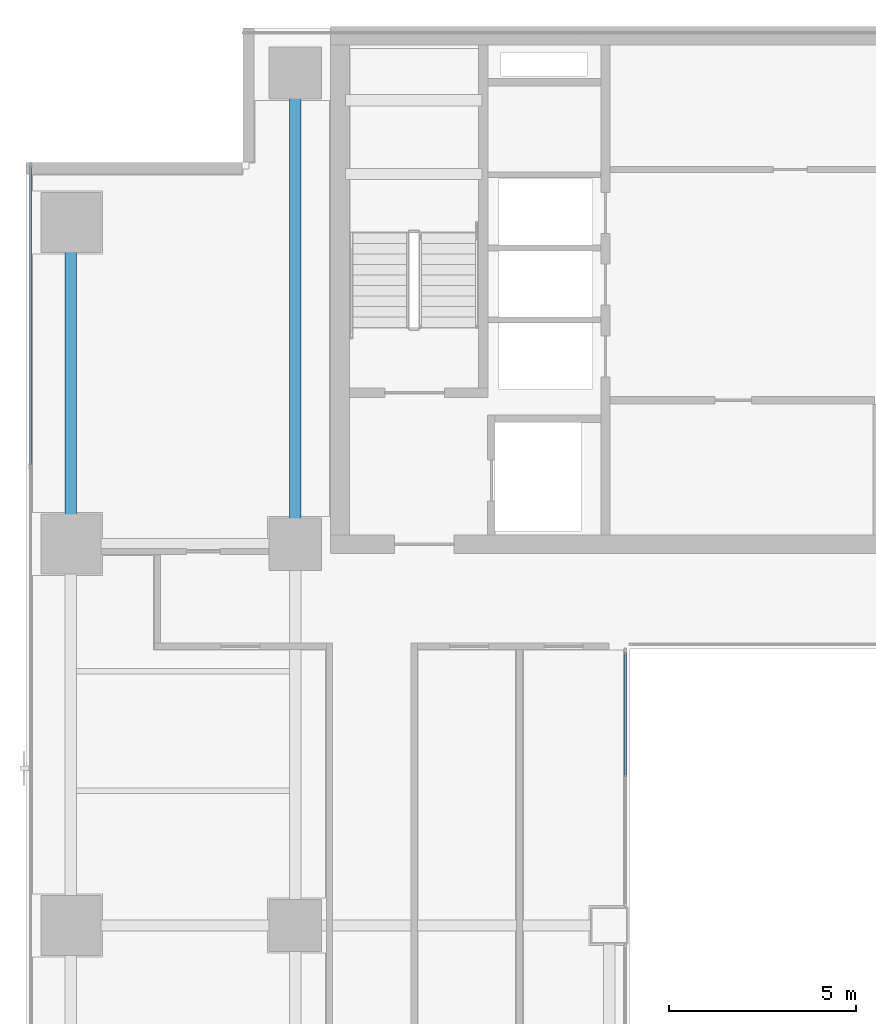
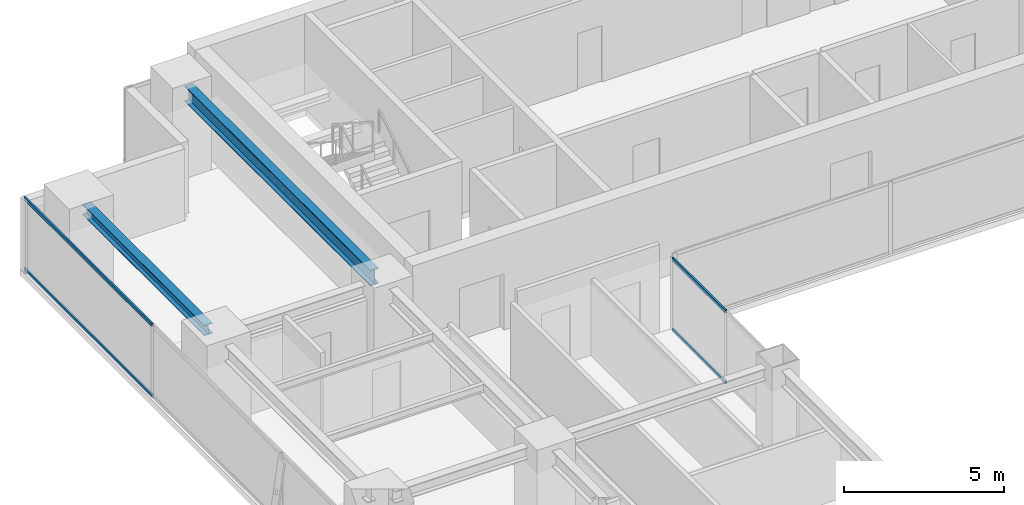
# One storey, part 9 of 29: 4 members, 2 beams, 2 elements without a shape of their own.
"""IFC4 building model written with IfcOpenShell, lengths in metres."""

import ifcopenshell
import ifcopenshell.guid

model = None  # the IFC model being written
_history = None  # IfcOwnerHistory: only IFC2X3 demands one
_inside = {}  # id of a spatial element -> (the spatial element, [elements in it])
_under = {}  # id of a project, library or spatial element -> (it, [spatial elements below it])
_declared = {}  # id of a project -> (the project, [libraries it declares])
_typed = {}  # id of a type object -> (the type object, [elements of that type])
_made_of = {}  # id of a material, layer set ... -> (it, [elements and type objects made of it])


def new_model(schema):
    """Start an empty IFC model of exactly this schema.

    Asked for "IFC4X3", IfcOpenShell would pick the latest addendum, in which some entities
    have other attributes; the version numbers below select the first issue.
    IFC2X3 requires an IfcOwnerHistory on every rooted entity: one is made here for all.
    """
    global model, _history
    if schema == "IFC4X3":
        model = ifcopenshell.file(schema_version=(4, 3, 0, 0))
    else:
        model = ifcopenshell.file(schema=schema)
    _inside.clear()
    _under.clear()
    _declared.clear()
    _typed.clear()
    _made_of.clear()
    _history = None
    if model.schema == "IFC2X3":
        org = make("IfcOrganization", Name="unknown")
        user = make(
            "IfcPersonAndOrganization",
            ThePerson=make("IfcPerson", FamilyName="unknown"),
            TheOrganization=org,
        )
        app = make(
            "IfcApplication",
            ApplicationDeveloper=org,
            Version="unknown",
            ApplicationFullName="unknown",
            ApplicationIdentifier="unknown",
        )
        _history = make(
            "IfcOwnerHistory",
            OwningUser=user,
            OwningApplication=app,
            ChangeAction="ADDED",
            CreationDate=0,
        )
    return model


def make(cls, **values):
    """One entity of the class cls with the attributes given. An attribute that is None is left unset."""
    return model.create_entity(
        cls, **{name: value for name, value in values.items() if value is not None}
    )


def rooted(cls, **values):
    """An entity with a GlobalId (a new one), such as an element, a storey or a relation."""
    return make(cls, GlobalId=ifcopenshell.guid.new(), OwnerHistory=_history, **values)


def si_unit(unit_type, name, prefix=None):
    """IfcSIUnit, for example si_unit("LENGTHUNIT", "METRE", prefix="MILLI")."""
    return make("IfcSIUnit", UnitType=unit_type, Prefix=prefix, Name=name)


def assignment(units):
    """IfcUnitAssignment: the units of a project."""
    return None if units is None else make("IfcUnitAssignment", Units=units)


def point(xyz):
    """IfcCartesianPoint."""
    return None if xyz is None else make("IfcCartesianPoint", Coordinates=xyz)


def direction(xyz):
    """IfcDirection."""
    return None if xyz is None else make("IfcDirection", DirectionRatios=xyz)


def frame(location, z_axis=None, x_axis=None):
    """IfcAxis2Placement3D, a coordinate frame: its origin and axes. An axis left out is left unset."""
    return make(
        "IfcAxis2Placement3D",
        Location=point(location),
        Axis=direction(z_axis),
        RefDirection=direction(x_axis),
    )


def frame_2d(location, x_axis=None):
    """IfcAxis2Placement2D, a coordinate frame in the plane: its origin and x axis."""
    return make(
        "IfcAxis2Placement2D", Location=point(location), RefDirection=direction(x_axis)
    )


def origin():
    """The frame at (0, 0, 0) with its axes left unset."""
    return frame((0.0, 0.0, 0.0))


def origin_2d():
    """The frame at (0, 0) in the plane with its x axis left unset."""
    return frame_2d((0.0, 0.0))


def place(relative_to, where):
    """IfcLocalPlacement: puts the frame where relative to a parent placement (None: the world)."""
    return make(
        "IfcLocalPlacement", PlacementRelTo=relative_to, RelativePlacement=where
    )


def context(
    kind, dimensions, precision=None, world=None, true_north=None, identifier=None
):
    """IfcGeometricRepresentationContext, for example the 3D "Model" context."""
    return make(
        "IfcGeometricRepresentationContext",
        ContextIdentifier=identifier,
        ContextType=kind,
        CoordinateSpaceDimension=dimensions,
        Precision=precision,
        WorldCoordinateSystem=world,
        TrueNorth=true_north,
    )


def subcontext(parent, identifier, kind, view, scale=None):
    """IfcGeometricRepresentationSubContext, for example "Body" below "Model"."""
    return make(
        "IfcGeometricRepresentationSubContext",
        ContextIdentifier=identifier,
        ContextType=kind,
        ParentContext=parent,
        TargetScale=scale,
        TargetView=view,
    )


def project(units=None, contexts=None):
    """IfcProject with its units and contexts."""
    return rooted(
        "IfcProject",
        Name="project",
        RepresentationContexts=contexts,
        UnitsInContext=assignment(units),
    )


def spatial(cls, under=None, at=None, **own):
    """A site, building, storey or space (cls), placed at a placement, below another one or the project."""
    s = rooted(cls, ObjectPlacement=at, **own)
    if under is not None:
        _under.setdefault(under.id(), (under, []))[1].append(s)
    return s


def profile(cls, at=None, kind="AREA", **sizes):
    """A parametric profile (cls). Its sizes go by their IFC names, for example OverallWidth=200.0."""
    return make(cls, ProfileType=kind, Position=at, **sizes)


def hollow_rectangle(**sizes):
    """IfcRectangleHollowProfileDef."""
    return profile("IfcRectangleHollowProfileDef", **sizes)


def i_section(**sizes):
    """IfcIShapeProfileDef."""
    return profile("IfcIShapeProfileDef", **sizes)


def extrude(swept, where, along, depth):
    """IfcExtrudedAreaSolid: the profile swept, set in the frame where, extruded along a direction by depth."""
    return make(
        "IfcExtrudedAreaSolid",
        SweptArea=swept,
        Position=where,
        ExtrudedDirection=direction(along),
        Depth=depth,
    )


def shape(context_of_items, identifier, shape_type, items):
    """IfcShapeRepresentation: the items that make up one representation, for example the "Body"."""
    return make(
        "IfcShapeRepresentation",
        ContextOfItems=context_of_items,
        RepresentationIdentifier=identifier,
        RepresentationType=shape_type,
        Items=items,
    )


def source(mapping_origin, context_of_items, identifier, shape_type, items):
    """IfcRepresentationMap: a shape defined once, which mapped items show again and again."""
    return make(
        "IfcRepresentationMap",
        MappingOrigin=mapping_origin,
        MappedRepresentation=shape(context_of_items, identifier, shape_type, items),
    )


def transform(
    local_origin,
    x_axis=None,
    y_axis=None,
    z_axis=None,
    scale=None,
    scale2=None,
    scale3=None,
    uniform=True,
):
    """IfcCartesianTransformationOperator3D, or its non-uniform kind. x_axis, y_axis, z_axis: its Axis1, 2, 3."""
    if uniform:
        return make(
            "IfcCartesianTransformationOperator3D",
            Axis1=direction(x_axis),
            Axis2=direction(y_axis),
            LocalOrigin=point(local_origin),
            Scale=scale,
            Axis3=direction(z_axis),
        )
    return make(
        "IfcCartesianTransformationOperator3DnonUniform",
        Axis1=direction(x_axis),
        Axis2=direction(y_axis),
        LocalOrigin=point(local_origin),
        Scale=scale,
        Axis3=direction(z_axis),
        Scale2=scale2,
        Scale3=scale3,
    )


def mapped(mapping_source, mapping_target):
    """IfcMappedItem: shows the shape of a source again, moved by a transform."""
    return make(
        "IfcMappedItem", MappingSource=mapping_source, MappingTarget=mapping_target
    )


def material(Name=None, Category=None):
    """IfcMaterial."""
    return make("IfcMaterial", Name=Name, Category=Category)


def layer(
    of_material, thickness, ventilated=None, Name=None, Category=None, Priority=None
):
    """IfcMaterialLayer: one layer of a wall or slab, of a material (None: an air gap)."""
    return make(
        "IfcMaterialLayer",
        Material=of_material,
        LayerThickness=thickness,
        IsVentilated=ventilated,
        Name=Name,
        Category=Category,
        Priority=Priority,
    )


def layer_set(layers, Name=None):
    """IfcMaterialLayerSet."""
    return make("IfcMaterialLayerSet", MaterialLayers=layers, LayerSetName=Name)


def material_profile(
    of_material, cross_section, Name=None, Category=None, Priority=None
):
    """IfcMaterialProfile: a cross section and its material."""
    return make(
        "IfcMaterialProfile",
        Name=Name,
        Material=of_material,
        Profile=cross_section,
        Priority=Priority,
        Category=Category,
    )


def profile_set(profiles, Name=None, composite=None):
    """IfcMaterialProfileSet."""
    return make(
        "IfcMaterialProfileSet",
        Name=Name,
        MaterialProfiles=profiles,
        CompositeProfile=composite,
    )


def made_of(thing, what):
    """Note that an element or type object is made of a material, layer set ...; save() writes the relation."""
    if what is not None:
        _made_of.setdefault(what.id(), (what, []))[1].append(thing)
    return thing


def type_object(cls, material=None, **own):
    """A type object (cls), such as IfcWallType, which elements share."""
    return made_of(rooted(cls, **own), material)


def element(
    cls,
    number,
    at=None,
    inside=None,
    cuts=None,
    type_object=None,
    material=None,
    context=None,
    identifier="Body",
    shape_type=None,
    held_by="IfcProductDefinitionShape",
    body=None,
    shapes=None,
    **own,
):
    """One element of the class cls, such as IfcWall. Its Tag is "e" and its number.

    at: its placement. inside: the storey or other place that contains it. cuts: it is an
    opening in that element (IfcRelVoidsElement). A single representation is given by context,
    identifier, shape_type and body (its items); several are given by shapes. held_by: the class
    of the entity that holds the representations. save() writes the other relations.
    """
    e = rooted(cls, Tag="e%d" % number, ObjectPlacement=at, **own)
    if body is not None:
        shapes = [shape(context, identifier, shape_type, body)]
    if shapes is not None:
        e.Representation = make(held_by, Representations=shapes)
    if inside is not None:
        _inside.setdefault(inside.id(), (inside, []))[1].append(e)
    if cuts is not None:
        rooted(
            "IfcRelVoidsElement", RelatingBuildingElement=cuts, RelatedOpeningElement=e
        )
    if type_object is not None:
        _typed.setdefault(type_object.id(), (type_object, []))[1].append(e)
    return made_of(e, material)


def aggregate(whole, parts):
    """IfcRelAggregates: a whole, such as a stair, and the parts it consists of."""
    return rooted("IfcRelAggregates", RelatingObject=whole, RelatedObjects=parts)


def save(model, path):
    """Write the relations noted so far, then the file.

    IfcRelAggregates (storeys below a building ...), IfcRelContainedInSpatialStructure (elements
    in a storey), IfcRelDefinesByType, IfcRelAssociatesMaterial and IfcRelDeclares: one each for
    every whole, place, type object, material and project.
    """
    for whole, parts in _under.values():
        aggregate(whole, parts)
    for where, things in _inside.values():
        rooted(
            "IfcRelContainedInSpatialStructure",
            RelatedElements=things,
            RelatingStructure=where,
        )
    for kind, things in _typed.values():
        rooted("IfcRelDefinesByType", RelatedObjects=things, RelatingType=kind)
    for what, things in _made_of.values():
        rooted("IfcRelAssociatesMaterial", RelatedObjects=things, RelatingMaterial=what)
    for by, libraries in _declared.values():
        rooted("IfcRelDeclares", RelatingContext=by, RelatedDefinitions=libraries)
    model.write(path)


model = new_model("IFC4")

# Units and contexts
model_context = context("Model", 3, precision=1e-05, world=origin(), true_north=direction((0.0, 1.0)))
body_context = subcontext(model_context, "Body", "Model", "MODEL_VIEW")
ifc_project = project(units=[si_unit("LENGTHUNIT", "METRE"), si_unit("AREAUNIT", "SQUARE_METRE"), si_unit("VOLUMEUNIT", "CUBIC_METRE"), si_unit("PLANEANGLEUNIT", "RADIAN"), si_unit("MASSUNIT", "GRAM", prefix="KILO")], contexts=[model_context])

# Site, building, storey
site_placement = place(None, origin())
site = spatial("IfcSite", under=ifc_project, at=site_placement, CompositionType="ELEMENT")
building_placement = place(site_placement, origin())
building = spatial("IfcBuilding", under=site, at=building_placement, Name="Sumidabori Civic Tower", CompositionType="ELEMENT")
storey_placement = place(building_placement, frame((0.0, 0.0, 218.0)))
storey = spatial("IfcBuildingStorey", under=building, at=storey_placement, Name="L56", CompositionType="ELEMENT", Elevation=218.0)

# Beams
ifc_material_1 = material(Name="Steel SN490", Category="steel")
ifc_material_profile_1 = material_profile(ifc_material_1, i_section(OverallWidth=0.300048828125, OverallDepth=0.39990234375, WebThickness=0.013427734375, FlangeThickness=0.02392578125, at=origin_2d()), Name="HE 400 B")
ifc_profile_set_1 = profile_set([ifc_material_profile_1], Name="Steel SN490")
beam_type_1 = type_object("IfcBeamType", Name="BM-GIRD-400", PredefinedType="BEAM", material=ifc_profile_set_1)
shared_shape_1 = source(origin(), body_context, "Body", "SweptSolid", [
    extrude(i_section(OverallWidth=0.300048828125, OverallDepth=0.39990234375, WebThickness=0.013427734375, FlangeThickness=0.02392578125, at=origin_2d()), origin(), (0.0, 0.0, 1.0), 7.64013671875),
])
beam_1_placement = place(storey_placement, frame((-22.800048828125, 10.679931640625, 3.179931640625), z_axis=(0.0, 1.0, 0.0), x_axis=(-1.0, 0.0, 0.0)))
element("IfcBeam", 1, at=beam_1_placement, inside=storey, type_object=beam_type_1, Name="Primary Girder L56 GY-13", PredefinedType="BEAM", context=body_context, shape_type="MappedRepresentation", body=[
    mapped(shared_shape_1, transform((0.0, 0.0, 0.0), x_axis=(1.0, 0.0, 0.0), y_axis=(0.0, 1.0, 0.0), z_axis=(0.0, 0.0, 1.0), scale=1.0)),
])
ifc_material_profile_2 = material_profile(ifc_material_1, i_section(OverallWidth=0.300048828125, OverallDepth=0.60009765625, WebThickness=0.015380859375, FlangeThickness=0.030029296875, at=origin_2d()), Name="HE 600 B")
ifc_profile_set_2 = profile_set([ifc_material_profile_2], Name="Steel SN490")
beam_type_2 = type_object("IfcBeamType", Name="BM-GIRD-600", PredefinedType="BEAM", material=ifc_profile_set_2)
shared_shape_2 = source(origin(), body_context, "Body", "SweptSolid", [
    extrude(i_section(OverallWidth=0.300048828125, OverallDepth=0.60009765625, WebThickness=0.015380859375, FlangeThickness=0.030029296875, at=origin_2d()), origin(), (0.0, 0.0, 1.0), 11.64013671875),
])
beam_2_placement = place(storey_placement, frame((-16.800048828125, 10.679931640625, 3.080078125), z_axis=(0.0, 1.0, 0.0), x_axis=(-1.0, 0.0, 0.0)))
element("IfcBeam", 2, at=beam_2_placement, inside=storey, type_object=beam_type_2, Name="Primary Girder L56 GY-16", PredefinedType="BEAM", context=body_context, shape_type="MappedRepresentation", body=[
    mapped(shared_shape_2, transform((0.0, 0.0, 0.0), x_axis=(1.0, 0.0, 0.0), y_axis=(0.0, 1.0, 0.0), z_axis=(0.0, 0.0, 1.0), scale=1.0)),
])

# Curtain wall, members
ifc_material_2 = material(Name="Anodised Bronze Aluminium AW-6063-T6", Category="aluminium")
ifc_layer_1 = layer(ifc_material_2, 0.179931640625, Name="Anodised Bronze Aluminium AW-6063-T6")
ifc_layer_set_1 = layer_set([ifc_layer_1], Name="Anodised Bronze Aluminium AW-6063-T6")
curtain_wall_type_1 = type_object("IfcCurtainWallType", Name="CW-SYS-4", PredefinedType="NOTDEFINED", material=ifc_layer_set_1)
curtain_wall_1_placement = place(storey_placement, origin())
curtain_wall_1 = element("IfcCurtainWall", 3, at=curtain_wall_1_placement, inside=storey, type_object=curtain_wall_type_1, Name="Curtain Wall CW:L56:R04", PredefinedType="NOTDEFINED")
ifc_material_profile_3 = material_profile(ifc_material_2, hollow_rectangle(XDim=0.06005859375, YDim=0.1298828125, WallThickness=0.0048828125, at=origin_2d()), Name="ALU TRANSOM 130x60")
ifc_profile_set_3 = profile_set([ifc_material_profile_3], Name="Anodised Bronze Aluminium AW-6063-T6")
member_type = type_object("IfcMemberType", Name="CW-TRN-130", PredefinedType="USERDEFINED", material=ifc_profile_set_3)
shared_shape_3 = source(origin(), body_context, "Body", "SweptSolid", [
    extrude(hollow_rectangle(XDim=0.06005859375, YDim=0.1298828125, WallThickness=0.0048828125, at=origin_2d()), origin(), (0.0, 0.0, 1.0), 3.330078125),
])
member_1_placement = place(storey_placement, frame((-7.969970703125, 3.97998046875, 0.030029296875), z_axis=(0.0, 1.0, 0.0), x_axis=(-1.0, 0.0, 0.0)))
member_1 = element("IfcMember", 4, at=member_1_placement, type_object=member_type, Name="CW-4 transom 2.1", ObjectType="TRANSOM", PredefinedType="USERDEFINED", context=body_context, shape_type="MappedRepresentation", body=[
    mapped(shared_shape_3, transform((0.0, 0.0, 0.0), x_axis=(1.0, 0.0, 0.0), y_axis=(0.0, 1.0, 0.0), z_axis=(0.0, 0.0, 1.0), scale=1.0)),
])
member_2_placement = place(storey_placement, frame((-7.969970703125, 3.97998046875, 2.72998046875), z_axis=(0.0, 1.0, 0.0), x_axis=(-1.0, 0.0, 0.0)))
member_2 = element("IfcMember", 5, at=member_2_placement, type_object=member_type, Name="CW-4 transom 2.2", ObjectType="TRANSOM", PredefinedType="USERDEFINED", context=body_context, shape_type="MappedRepresentation", body=[
    mapped(shared_shape_3, transform((0.0, 0.0, 0.0), x_axis=(1.0, 0.0, 0.0), y_axis=(0.0, 1.0, 0.0), z_axis=(0.0, 0.0, 1.0), scale=1.0)),
])
aggregate(curtain_wall_1, [member_1, member_2])

ifc_layer_2 = layer(ifc_material_2, 0.179931640625, Name="Anodised Bronze Aluminium AW-6063-T6")
ifc_layer_set_2 = layer_set([ifc_layer_2], Name="Anodised Bronze Aluminium AW-6063-T6")
curtain_wall_type_2 = type_object("IfcCurtainWallType", Name="CW-SYS-5", PredefinedType="NOTDEFINED", material=ifc_layer_set_2)
curtain_wall_2_placement = place(storey_placement, origin())
curtain_wall_2 = element("IfcCurtainWall", 6, at=curtain_wall_2_placement, inside=storey, type_object=curtain_wall_type_2, Name="Curtain Wall CW:L56:R16", PredefinedType="NOTDEFINED")
shared_shape_4 = source(origin(), body_context, "Body", "SweptSolid", [
    extrude(hollow_rectangle(XDim=0.06005859375, YDim=0.1298828125, WallThickness=0.0048828125, at=origin_2d()), origin(), (0.0, 0.0, 1.0), 7.9951171875),
])
member_3_placement = place(storey_placement, frame((-23.8798828125, 20.31005859375, 0.030029296875), z_axis=(0.0, -1.0, 0.0), x_axis=(1.0, 0.0, 0.0)))
member_3 = element("IfcMember", 7, at=member_3_placement, type_object=member_type, Name="CW-5 transom 1.1", ObjectType="TRANSOM", PredefinedType="USERDEFINED", context=body_context, shape_type="MappedRepresentation", body=[
    mapped(shared_shape_4, transform((0.0, 0.0, 0.0), x_axis=(1.0, 0.0, 0.0), y_axis=(0.0, 1.0, 0.0), z_axis=(0.0, 0.0, 1.0), scale=1.0)),
])
member_4_placement = place(storey_placement, frame((-23.8798828125, 20.31005859375, 2.72998046875), z_axis=(0.0, -1.0, 0.0), x_axis=(1.0, 0.0, 0.0)))
member_4 = element("IfcMember", 8, at=member_4_placement, type_object=member_type, Name="CW-5 transom 1.2", ObjectType="TRANSOM", PredefinedType="USERDEFINED", context=body_context, shape_type="MappedRepresentation", body=[
    mapped(shared_shape_4, transform((0.0, 0.0, 0.0), x_axis=(1.0, 0.0, 0.0), y_axis=(0.0, 1.0, 0.0), z_axis=(0.0, 0.0, 1.0), scale=1.0)),
])
aggregate(curtain_wall_2, [member_3, member_4])

save(model, "model.ifc")
